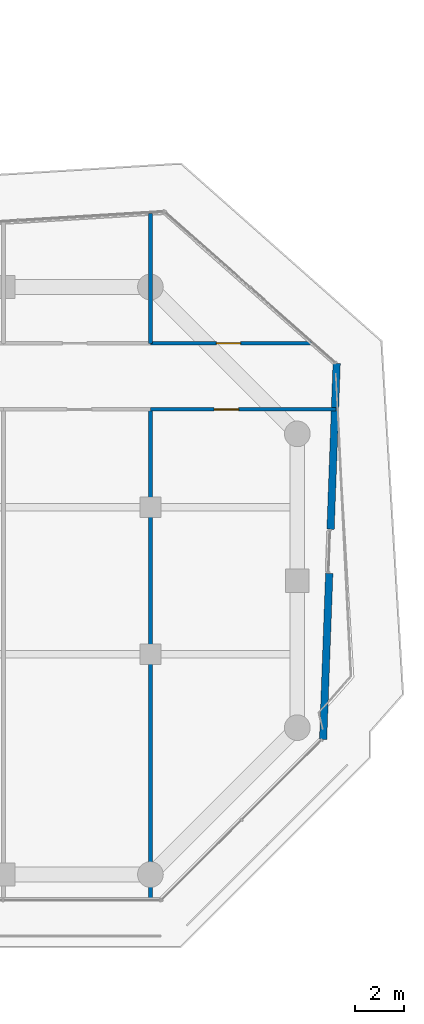
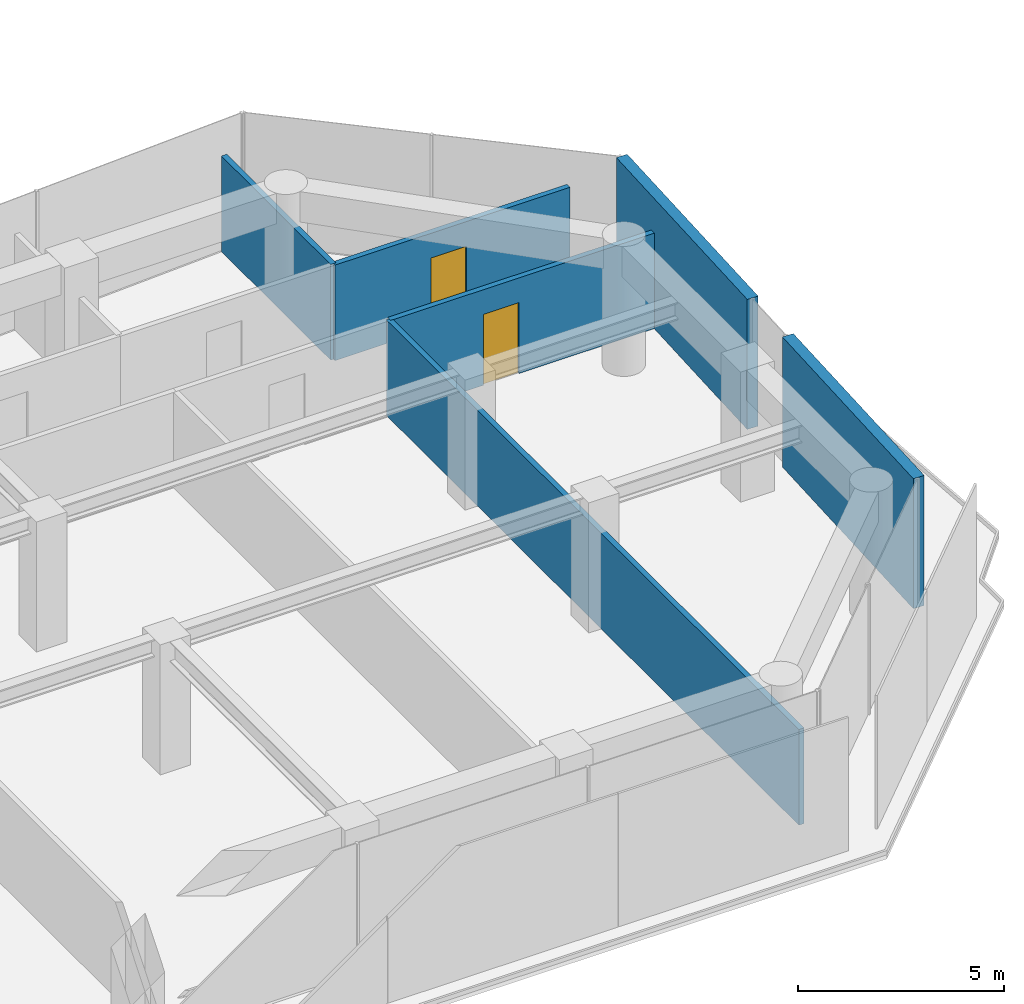
# One storey, part 26 of 29: 6 walls, 2 doors, 2 openings.
"""IFC4 building model written with IfcOpenShell, lengths in metres."""

from ifc_helpers import new_model, si_unit, direction, frame, frame_2d, origin, place, context, subcontext, project, spatial, rectangle, extrude, material, layer, layer_set, type_object, element, fill, save


model = new_model("IFC4")

# Units and contexts
model_context = context("Model", 3, precision=1e-05, world=origin(), true_north=direction((0.0, 1.0)))
body_context = subcontext(model_context, "Body", "Model", "MODEL_VIEW")
ifc_project = project(units=[si_unit("LENGTHUNIT", "METRE"), si_unit("AREAUNIT", "SQUARE_METRE"), si_unit("VOLUMEUNIT", "CUBIC_METRE"), si_unit("PLANEANGLEUNIT", "RADIAN"), si_unit("MASSUNIT", "GRAM", prefix="KILO")], contexts=[model_context])

# Site, building, storey
site_placement = place(None, origin())
site = spatial("IfcSite", under=ifc_project, at=site_placement, CompositionType="ELEMENT")
building_placement = place(site_placement, origin())
building = spatial("IfcBuilding", under=site, at=building_placement, Name="Welwitschia Terrace Campus", CompositionType="ELEMENT")
storey_placement = place(building_placement, frame((0.0, 0.0, 66.800048828125)))
storey = spatial("IfcBuildingStorey", under=building, at=storey_placement, Name="L15", CompositionType="ELEMENT", Elevation=66.800048828125)

# Walls
ifc_material_1 = material(Name="Gypsum board on steel studs", Category="steel")
ifc_layer_1 = layer(ifc_material_1, 0.14990234375)
ifc_layer_set_1 = layer_set([ifc_layer_1], Name="Gypsum board on steel studs")
wall_type_1 = type_object("IfcWallType", Name="Corridor partition 150 EI 30", PredefinedType="PARTITIONING", material=ifc_layer_set_1)
wall_1_placement = place(storey_placement, frame((60.0, -5.010009765625, 0.0), z_axis=(0.0, 0.0, 1.0), x_axis=(0.0, 1.0, 0.0)))
element("IfcWall", 1, at=wall_1_placement, inside=storey, type_object=wall_type_1, Name="Partition", PredefinedType="PARTITIONING", context=body_context, shape_type="SweptSolid", body=[
    extrude(rectangle(XDim=20.010009765625, YDim=0.14990234375, at=frame_2d((10.0048828125, 0.0))), origin(), (0.0, 0.0, 1.0), 2.829833984375),
])
wall_2_placement = place(storey_placement, frame((60.0, 17.699951171875, 0.0), z_axis=(0.0, 0.0, 1.0), x_axis=(0.0, 1.0, 0.0)))
element("IfcWall", 2, at=wall_2_placement, inside=storey, type_object=wall_type_1, Name="Partition", PredefinedType="PARTITIONING", context=body_context, shape_type="SweptSolid", body=[
    extrude(rectangle(XDim=5.300048828125, YDim=0.14990234375, at=frame_2d((2.64990234375, 0.0))), origin(), (0.0, 0.0, 1.0), 2.829833984375),
])

# Wall, opening, door
wall_3_placement = place(storey_placement, frame((60.0, 17.699951171875, 0.0), z_axis=(0.0, 0.0, 1.0), x_axis=(1.0, 0.0, 0.0)))
wall_3 = element("IfcWall", 3, at=wall_3_placement, inside=storey, type_object=wall_type_1, Name="Partition", PredefinedType="PARTITIONING", context=body_context, shape_type="SweptSolid", body=[
    extrude(rectangle(XDim=6.590087890625, YDim=0.14990234375, at=frame_2d((3.294921875, 0.0))), origin(), (0.0, 0.0, 1.0), 2.829833984375),
])
opening_1_placement = place(wall_3_placement, frame((2.68994140625, 0.0, 0.0)))
opening_1 = element("IfcOpeningElement", 4, at=opening_1_placement, cuts=wall_3, Name="Opening DI10", PredefinedType="OPENING", context=body_context, shape_type="SweptSolid", body=[
    extrude(rectangle(XDim=1.0, YDim=2.10009765625, at=frame_2d((0.5, 1.050048828125))), frame((0.0, 0.0849609375, 0.0), z_axis=(0.0, -1.0, 0.0), x_axis=(1.0, 0.0, 0.0)), (0.0, 0.0, 1.0), 0.169921875),
])
ifc_material_2 = material(Name="Timber veneered door", Category="wood")
door_type = type_object("IfcDoorType", Name="Interior door DI10", OperationType="NOTDEFINED", PredefinedType="DOOR", material=ifc_material_2)
door_1_placement = place(opening_1_placement, origin())
door_1 = element("IfcDoor", 5, at=door_1_placement, inside=storey, type_object=door_type, Name="Door L15 357", OperationType="SINGLE_SWING_RIGHT", OverallHeight=2.10009765625, OverallWidth=1.0, PredefinedType="DOOR", context=body_context, shape_type="SweptSolid", body=[
    extrude(rectangle(XDim=1.0, YDim=2.10009765625, at=frame_2d((0.5, 1.050048828125))), frame((0.0, 0.02490234375, 0.0), z_axis=(0.0, -1.0, 0.0), x_axis=(1.0, 0.0, 0.0)), (0.0, 0.0, 1.0), 0.050048828125),
])
fill(opening_1, door_1)

wall_4_placement = place(storey_placement, frame((67.57568359375, 15.0, 0.0), z_axis=(0.0, 0.0, 1.0), x_axis=(-1.0, 0.0, 0.0)))
wall_4 = element("IfcWall", 6, at=wall_4_placement, inside=storey, type_object=wall_type_1, Name="Partition", PredefinedType="PARTITIONING", context=body_context, shape_type="SweptSolid", body=[
    extrude(rectangle(XDim=7.57568359375, YDim=0.14990234375, at=frame_2d((3.787841796875, 0.0))), origin(), (0.0, 0.0, 1.0), 2.829833984375),
])
opening_2_placement = place(wall_4_placement, frame((3.9755859375, 0.0, 0.0)))
opening_2 = element("IfcOpeningElement", 7, at=opening_2_placement, cuts=wall_4, Name="Opening DI10", PredefinedType="OPENING", context=body_context, shape_type="SweptSolid", body=[
    extrude(rectangle(XDim=1.0, YDim=2.10009765625, at=frame_2d((0.5, 1.050048828125))), frame((0.0, 0.0849609375, 0.0), z_axis=(0.0, -1.0, 0.0), x_axis=(1.0, 0.0, 0.0)), (0.0, 0.0, 1.0), 0.169921875),
])
door_2_placement = place(opening_2_placement, origin())
door_2 = element("IfcDoor", 8, at=door_2_placement, inside=storey, type_object=door_type, Name="Door L15 358", OperationType="SINGLE_SWING_LEFT", OverallHeight=2.10009765625, OverallWidth=1.0, PredefinedType="DOOR", context=body_context, shape_type="SweptSolid", body=[
    extrude(rectangle(XDim=1.0, YDim=2.10009765625, at=frame_2d((0.5, 1.050048828125))), frame((0.0, 0.02490234375, 0.0), z_axis=(0.0, -1.0, 0.0), x_axis=(1.0, 0.0, 0.0)), (0.0, 0.0, 1.0), 0.050048828125),
])
fill(opening_2, door_2)

# Walls
ifc_material_3 = material(Name="Concrete C40/50", Category="concrete")
ifc_layer_2 = layer(ifc_material_3, 0.300048828125)
ifc_layer_set_2 = layer_set([ifc_layer_2], Name="Concrete C40/50")
wall_type_2 = type_object("IfcWallType", Name="Mass wall 300", PredefinedType="SOLIDWALL", material=ifc_layer_set_2)
for number, where, z_axis, x_axis, name in (
    (9, (67.05517578125, 1.522705078125, 0.0), (0.0, 0.0, 1.0), (0.036732223501, 0.999325144163, 0.0), "Mass wall L15.5.0"),
    (10, (67.358642578125, 10.103515625, 0.0), (0.0, 0.0, 1.0), (0.036732223501, 0.999325144163, 0.0), "Mass wall L15.5.1"),
):
    element("IfcWall", number, at=place(storey_placement, frame(where, z_axis=z_axis, x_axis=x_axis)), inside=storey, type_object=wall_type_2, Name=name, PredefinedType="SOLIDWALL", context=body_context, shape_type="SweptSolid", body=[
        extrude(rectangle(XDim=6.7861328125, YDim=0.300048828125, at=frame_2d((3.39306640625, 0.0))), origin(), (0.0, 0.0, 1.0), 3.849853515625),
    ])

save(model, "model.ifc")
